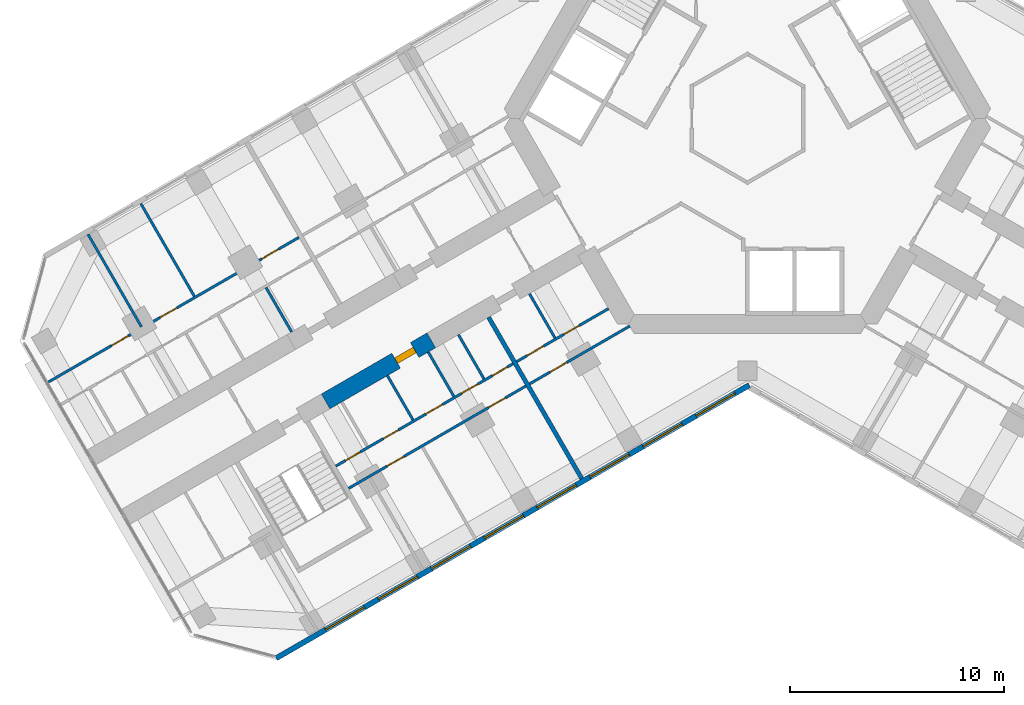
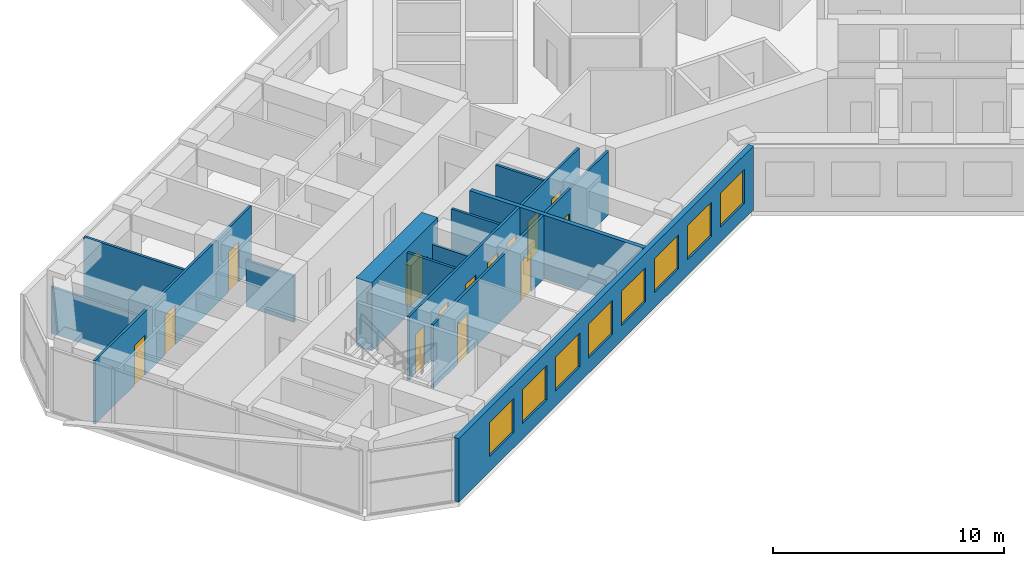
# One storey, part 11 of 20: 15 walls, 14 doors, 8 windows, 22 openings.
"""IFC4 building model written with IfcOpenShell, lengths in metres."""

from ifc_helpers import new_model, si_unit, direction, frame, frame_2d, origin, place, context, subcontext, project, spatial, rectangle, extrude, material, layer, layer_set, type_object, element, fill, save


model = new_model("IFC4")

# Units and contexts
model_context = context("Model", 3, precision=1e-05, world=origin(), true_north=direction((0.0, 1.0)))
body_context = subcontext(model_context, "Body", "Model", "MODEL_VIEW")
ifc_project = project(units=[si_unit("LENGTHUNIT", "METRE"), si_unit("AREAUNIT", "SQUARE_METRE"), si_unit("VOLUMEUNIT", "CUBIC_METRE"), si_unit("PLANEANGLEUNIT", "RADIAN"), si_unit("MASSUNIT", "GRAM", prefix="KILO")], contexts=[model_context])

# Site, building, storey
site_placement = place(None, origin())
site = spatial("IfcSite", under=ifc_project, at=site_placement, CompositionType="ELEMENT")
building_placement = place(site_placement, origin())
building = spatial("IfcBuilding", under=site, at=building_placement, Name="Kosmar Iwan School Tower", CompositionType="ELEMENT")
storey_placement = place(building_placement, frame((0.0, 0.0, 176.0)))
storey = spatial("IfcBuildingStorey", under=building, at=storey_placement, Name="L44", CompositionType="ELEMENT", Elevation=176.0)

# Wall, opening, door
ifc_material_1 = material(Name="Concrete C50/60", Category="concrete")
ifc_layer_1 = layer(ifc_material_1, 0.800048828125)
ifc_layer_set_1 = layer_set([ifc_layer_1], Name="Corridor buttress wall 800")
wall_type_1 = type_object("IfcWallType", Name="Corridor buttress wall 800", PredefinedType="SHEAR", material=ifc_layer_set_1)
wall_1_placement = place(storey_placement, frame((-14.7451171875, -10.360595703125, 0.0), z_axis=(0.0, 0.0, 1.0), x_axis=(-0.866015111908, -0.50001782563, 0.0)))
wall_1 = element("IfcWall", 1, at=wall_1_placement, inside=storey, type_object=wall_type_1, Name="Corridor wall BL bay 2", PredefinedType="SHEAR", context=body_context, shape_type="SweptSolid", body=[
    extrude(rectangle(XDim=5.699951171875, YDim=0.800048828125, at=frame_2d((2.85009765625, 0.0))), origin(), (0.0, 0.0, 1.0), 3.60009765625),
])
opening_1_placement = place(wall_1_placement, frame((0.89990234375, 0.0, 0.0)))
opening_1 = element("IfcOpeningElement", 2, at=opening_1_placement, cuts=wall_1, Name="Opening D1", PredefinedType="OPENING", context=body_context, shape_type="SweptSolid", body=[
    extrude(rectangle(XDim=1.0, YDim=2.10009765625, at=frame_2d((0.5, 1.050048828125))), frame((0.0, 0.412109375, 0.0), z_axis=(0.0, -1.0, 0.0), x_axis=(1.0, 0.0, 0.0)), (0.0, 0.0, 1.0), 0.823974609375),
])
ifc_material_2 = material(Name="Timber fire door in steel frame", Category="steel")
door_type_1 = type_object("IfcDoorType", Name="Flat entrance door 1000x2100", OperationType="SINGLE_SWING_LEFT", PredefinedType="DOOR", material=ifc_material_2)
door_1_placement = place(opening_1_placement, origin())
door_1 = element("IfcDoor", 3, at=door_1_placement, inside=storey, type_object=door_type_1, Name="Flat L44-BL2 entrance door", OperationType="SINGLE_SWING_LEFT", OverallHeight=2.10009765625, OverallWidth=1.0, PredefinedType="DOOR", context=body_context, shape_type="SweptSolid", body=[
    extrude(rectangle(XDim=1.0, YDim=2.10009765625, at=frame_2d((0.5, 1.050048828125))), frame((0.0, 0.14990234375, 0.0), z_axis=(0.0, -1.0, 0.0), x_axis=(1.0, 0.0, 0.0)), (0.0, 0.0, 1.0), 0.300048828125),
])
fill(opening_1, door_1)

# Wall, openings, doors
ifc_material_3 = material(Name="Gypsum board on steel studs", Category="steel")
ifc_layer_2 = layer(ifc_material_3, 0.1201171875)
ifc_layer_set_2 = layer_set([ifc_layer_2], Name="Dwelling partition 120")
wall_type_2 = type_object("IfcWallType", Name="Dwelling partition 120", PredefinedType="PARTITIONING", material=ifc_layer_set_2)
wall_2_placement = place(storey_placement, frame((-6.478515625, -8.87890625, 0.0), z_axis=(0.0, 0.0, 1.0), x_axis=(-0.866040211805, -0.499974350878, 0.0)))
wall_2 = element("IfcWall", 4, at=wall_2_placement, inside=storey, type_object=wall_type_2, Name="Partition L44-BL1-W1", PredefinedType="PARTITIONING", context=body_context, shape_type="SweptSolid", body=[
    extrude(rectangle(XDim=4.949951171875, YDim=0.1201171875, at=frame_2d((2.47509765625, 0.0))), origin(), (0.0, 0.0, 1.0), 3.35009765625),
])
opening_2_placement = place(wall_2_placement, frame((1.60009765625, 0.0, 0.0)))
opening_2 = element("IfcOpeningElement", 5, at=opening_2_placement, cuts=wall_2, Name="Opening D3", PredefinedType="OPENING", context=body_context, shape_type="SweptSolid", body=[
    extrude(rectangle(XDim=0.800048828125, YDim=2.10009765625, at=frame_2d((0.39990234375, 1.050048828125))), frame((0.0, 0.072021484375, 0.0), z_axis=(0.0, -1.0, 0.0), x_axis=(1.0, 0.0, 0.0)), (0.0, 0.0, 1.0), 0.14404296875),
])
opening_3_placement = place(wall_2_placement, frame((3.5, 0.0, 0.0)))
opening_3 = element("IfcOpeningElement", 6, at=opening_3_placement, cuts=wall_2, Name="Opening D2", PredefinedType="OPENING", context=body_context, shape_type="SweptSolid", body=[
    extrude(rectangle(XDim=0.89990234375, YDim=2.10009765625, at=frame_2d((0.449951171875, 1.050048828125))), frame((0.0, 0.072021484375, 0.0), z_axis=(0.0, -1.0, 0.0), x_axis=(1.0, 0.0, 0.0)), (0.0, 0.0, 1.0), 0.14404296875),
])
ifc_material_4 = material(Name="Timber door in timber frame", Category="wood")
door_type_2 = type_object("IfcDoorType", Name="Internal door 900x2100", OperationType="SINGLE_SWING_LEFT", PredefinedType="DOOR", material=ifc_material_4)
door_2_placement = place(opening_3_placement, origin())
door_2 = element("IfcDoor", 7, at=door_2_placement, inside=storey, type_object=door_type_2, Name="Entrance hall door L44-BL1-S2", OperationType="SINGLE_SWING_RIGHT", OverallHeight=2.10009765625, OverallWidth=0.89990234375, PredefinedType="DOOR", context=body_context, shape_type="SweptSolid", body=[
    extrude(rectangle(XDim=0.89990234375, YDim=2.10009765625, at=frame_2d((0.449951171875, 1.050048828125))), frame((0.0, 0.02490234375, 0.0), z_axis=(0.0, -1.0, 0.0), x_axis=(1.0, 0.0, 0.0)), (0.0, 0.0, 1.0), 0.050048828125),
])
fill(opening_3, door_2)
ifc_material_5 = material(Name="Timber door in timber frame", Category="wood")
door_type_3 = type_object("IfcDoorType", Name="Sanitary room door 800x2100", OperationType="SINGLE_SWING_LEFT", PredefinedType="DOOR", material=ifc_material_5)
door_3_placement = place(opening_2_placement, origin())
door_3 = element("IfcDoor", 8, at=door_3_placement, inside=storey, type_object=door_type_3, Name="Bathroom door L44-BL1-S1", OperationType="SINGLE_SWING_LEFT", OverallHeight=2.10009765625, OverallWidth=0.800048828125, PredefinedType="DOOR", context=body_context, shape_type="SweptSolid", body=[
    extrude(rectangle(XDim=0.800048828125, YDim=2.10009765625, at=frame_2d((0.39990234375, 1.050048828125))), frame((0.0, 0.02490234375, 0.0), z_axis=(0.0, -1.0, 0.0), x_axis=(1.0, 0.0, 0.0)), (0.0, 0.0, 1.0), 0.050048828125),
])
fill(opening_2, door_3)

# Wall, opening, door
wall_3_placement = place(storey_placement, frame((-5.48876953125, -9.693115234375, 0.0), z_axis=(0.0, 0.0, 1.0), x_axis=(-0.866028230842, -0.499995103361, 0.0)))
wall_3 = element("IfcWall", 9, at=wall_3_placement, inside=storey, type_object=wall_type_2, Name="Partition L44-BL1-W2", PredefinedType="PARTITIONING", context=body_context, shape_type="SweptSolid", body=[
    extrude(rectangle(XDim=5.39990234375, YDim=0.1201171875, at=frame_2d((2.699951171875, 0.0))), origin(), (0.0, 0.0, 1.0), 3.35009765625),
])
opening_4_placement = place(wall_3_placement, frame((3.39990234375, 0.0, 0.0)))
opening_4 = element("IfcOpeningElement", 10, at=opening_4_placement, cuts=wall_3, Name="Opening D2", PredefinedType="OPENING", context=body_context, shape_type="SweptSolid", body=[
    extrude(rectangle(XDim=0.89990234375, YDim=2.10009765625, at=frame_2d((0.449951171875, 1.050048828125))), frame((0.0, 0.072021484375, 0.0), z_axis=(0.0, -1.0, 0.0), x_axis=(1.0, 0.0, 0.0)), (0.0, 0.0, 1.0), 0.14404296875),
])
door_4_placement = place(opening_4_placement, origin())
door_4 = element("IfcDoor", 11, at=door_4_placement, inside=storey, type_object=door_type_2, Name="Studio living room and kitchen door L44-BL1-F1", OperationType="SINGLE_SWING_RIGHT", OverallHeight=2.10009765625, OverallWidth=0.89990234375, PredefinedType="DOOR", context=body_context, shape_type="SweptSolid", body=[
    extrude(rectangle(XDim=0.89990234375, YDim=2.10009765625, at=frame_2d((0.449951171875, 1.050048828125))), frame((0.0, 0.02490234375, 0.0), z_axis=(0.0, -1.0, 0.0), x_axis=(1.0, 0.0, 0.0)), (0.0, 0.0, 1.0), 0.050048828125),
])
fill(opening_4, door_4)

# Wall
wall_4_placement = place(storey_placement, frame((-10.171630859375, -8.18212890625, 0.0), z_axis=(0.0, 0.0, 1.0), x_axis=(0.499940577336, -0.866059708757, 0.0)))
element("IfcWall", 12, at=wall_4_placement, inside=storey, type_object=wall_type_2, Name="Partition L44-BL1-Y1", PredefinedType="PARTITIONING", context=body_context, shape_type="SweptSolid", body=[
    extrude(rectangle(XDim=2.389892578125, YDim=0.1201171875, at=frame_2d((1.19482421875, 0.0))), origin(), (0.0, 0.0, 1.0), 3.35009765625),
])

# Wall, openings, doors
wall_5_placement = place(storey_placement, frame((-10.9384765625, -11.453857421875, 0.0), z_axis=(0.0, 0.0, 1.0), x_axis=(-0.866035311659, -0.499982838664, 0.0)))
wall_5 = element("IfcWall", 13, at=wall_5_placement, inside=storey, type_object=wall_type_2, Name="Partition L44-BL2-W1", PredefinedType="PARTITIONING", context=body_context, shape_type="SweptSolid", body=[
    extrude(rectangle(XDim=9.550048828125, YDim=0.1201171875, at=frame_2d((4.77490234375, 0.0))), origin(), (0.0, 0.0, 1.0), 3.35009765625),
])
opening_5_placement = place(wall_5_placement, frame((0.3125, 0.0, 0.0)))
opening_5 = element("IfcOpeningElement", 14, at=opening_5_placement, cuts=wall_5, Name="Opening D3", PredefinedType="OPENING", context=body_context, shape_type="SweptSolid", body=[
    extrude(rectangle(XDim=0.800048828125, YDim=2.10009765625, at=frame_2d((0.39990234375, 1.050048828125))), frame((0.0, 0.072021484375, 0.0), z_axis=(0.0, -1.0, 0.0), x_axis=(1.0, 0.0, 0.0)), (0.0, 0.0, 1.0), 0.14404296875),
])
opening_6_placement = place(wall_5_placement, frame((1.887451171875, 0.0, 0.0)))
opening_6 = element("IfcOpeningElement", 15, at=opening_6_placement, cuts=wall_5, Name="Opening D2", PredefinedType="OPENING", context=body_context, shape_type="SweptSolid", body=[
    extrude(rectangle(XDim=0.89990234375, YDim=2.10009765625, at=frame_2d((0.449951171875, 1.050048828125))), frame((0.0, 0.072021484375, 0.0), z_axis=(0.0, -1.0, 0.0), x_axis=(1.0, 0.0, 0.0)), (0.0, 0.0, 1.0), 0.14404296875),
])
opening_7_placement = place(wall_5_placement, frame((3.800048828125, 0.0, 0.0)))
opening_7 = element("IfcOpeningElement", 16, at=opening_7_placement, cuts=wall_5, Name="Opening D2", PredefinedType="OPENING", context=body_context, shape_type="SweptSolid", body=[
    extrude(rectangle(XDim=0.89990234375, YDim=2.10009765625, at=frame_2d((0.449951171875, 1.050048828125))), frame((0.0, 0.072021484375, 0.0), z_axis=(0.0, -1.0, 0.0), x_axis=(1.0, 0.0, 0.0)), (0.0, 0.0, 1.0), 0.14404296875),
])
opening_8_placement = place(wall_5_placement, frame((6.179931640625, 0.0, 0.0)))
opening_8 = element("IfcOpeningElement", 17, at=opening_8_placement, cuts=wall_5, Name="Opening D3", PredefinedType="OPENING", context=body_context, shape_type="SweptSolid", body=[
    extrude(rectangle(XDim=0.800048828125, YDim=2.10009765625, at=frame_2d((0.39990234375, 1.050048828125))), frame((0.0, 0.072021484375, 0.0), z_axis=(0.0, -1.0, 0.0), x_axis=(1.0, 0.0, 0.0)), (0.0, 0.0, 1.0), 0.14404296875),
])
opening_9_placement = place(wall_5_placement, frame((8.22998046875, 0.0, 0.0)))
opening_9 = element("IfcOpeningElement", 18, at=opening_9_placement, cuts=wall_5, Name="Opening D3", PredefinedType="OPENING", context=body_context, shape_type="SweptSolid", body=[
    extrude(rectangle(XDim=0.800048828125, YDim=2.10009765625, at=frame_2d((0.39990234375, 1.050048828125))), frame((0.0, 0.072021484375, 0.0), z_axis=(0.0, -1.0, 0.0), x_axis=(1.0, 0.0, 0.0)), (0.0, 0.0, 1.0), 0.14404296875),
])
door_5_placement = place(opening_6_placement, frame((0.89990234375, 0.0, 0.0), z_axis=(0.0, 0.0, 1.0), x_axis=(-1.0, 0.0, 0.0)))
door_5 = element("IfcDoor", 19, at=door_5_placement, inside=storey, type_object=door_type_2, Name="Pantry door L44-BL2-S2", OperationType="SINGLE_SWING_RIGHT", OverallHeight=2.10009765625, OverallWidth=0.89990234375, PredefinedType="DOOR", context=body_context, shape_type="SweptSolid", body=[
    extrude(rectangle(XDim=0.89990234375, YDim=2.10009765625, at=frame_2d((0.449951171875, 1.050048828125))), frame((0.0, 0.02490234375, 0.0), z_axis=(0.0, -1.0, 0.0), x_axis=(1.0, 0.0, 0.0)), (0.0, 0.0, 1.0), 0.050048828125),
])
fill(opening_6, door_5)
door_6_placement = place(opening_7_placement, origin())
door_6 = element("IfcDoor", 20, at=door_6_placement, inside=storey, type_object=door_type_2, Name="Entrance hall door L44-BL2-S3", OperationType="SINGLE_SWING_LEFT", OverallHeight=2.10009765625, OverallWidth=0.89990234375, PredefinedType="DOOR", context=body_context, shape_type="SweptSolid", body=[
    extrude(rectangle(XDim=0.89990234375, YDim=2.10009765625, at=frame_2d((0.449951171875, 1.050048828125))), frame((0.0, 0.02490234375, 0.0), z_axis=(0.0, -1.0, 0.0), x_axis=(1.0, 0.0, 0.0)), (0.0, 0.0, 1.0), 0.050048828125),
])
fill(opening_7, door_6)
door_7_placement = place(opening_5_placement, origin())
door_7 = element("IfcDoor", 21, at=door_7_placement, inside=storey, type_object=door_type_3, Name="Store door L44-BL2-S1", OperationType="SINGLE_SWING_LEFT", OverallHeight=2.10009765625, OverallWidth=0.800048828125, PredefinedType="DOOR", context=body_context, shape_type="SweptSolid", body=[
    extrude(rectangle(XDim=0.800048828125, YDim=2.10009765625, at=frame_2d((0.39990234375, 1.050048828125))), frame((0.0, 0.02490234375, 0.0), z_axis=(0.0, -1.0, 0.0), x_axis=(1.0, 0.0, 0.0)), (0.0, 0.0, 1.0), 0.050048828125),
])
fill(opening_5, door_7)
door_8_placement = place(opening_8_placement, origin())
door_8 = element("IfcDoor", 22, at=door_8_placement, inside=storey, type_object=door_type_3, Name="Bathroom door L44-BL2-S4", OperationType="SINGLE_SWING_RIGHT", OverallHeight=2.10009765625, OverallWidth=0.800048828125, PredefinedType="DOOR", context=body_context, shape_type="SweptSolid", body=[
    extrude(rectangle(XDim=0.800048828125, YDim=2.10009765625, at=frame_2d((0.39990234375, 1.050048828125))), frame((0.0, 0.02490234375, 0.0), z_axis=(0.0, -1.0, 0.0), x_axis=(1.0, 0.0, 0.0)), (0.0, 0.0, 1.0), 0.050048828125),
])
fill(opening_8, door_8)
door_9_placement = place(opening_9_placement, origin())
door_9 = element("IfcDoor", 23, at=door_9_placement, inside=storey, type_object=door_type_3, Name="WC door L44-BL2-S5", OperationType="SINGLE_SWING_RIGHT", OverallHeight=2.10009765625, OverallWidth=0.800048828125, PredefinedType="DOOR", context=body_context, shape_type="SweptSolid", body=[
    extrude(rectangle(XDim=0.800048828125, YDim=2.10009765625, at=frame_2d((0.39990234375, 1.050048828125))), frame((0.0, 0.02490234375, 0.0), z_axis=(0.0, -1.0, 0.0), x_axis=(1.0, 0.0, 0.0)), (0.0, 0.0, 1.0), 0.050048828125),
])
fill(opening_9, door_9)

wall_6_placement = place(storey_placement, frame((-10.338623046875, -12.492919921875, 0.0), z_axis=(0.0, 0.0, 1.0), x_axis=(-0.866017851049, -0.500013081493, 0.0)))
wall_6 = element("IfcWall", 24, at=wall_6_placement, inside=storey, type_object=wall_type_2, Name="Partition L44-BL2-W2", PredefinedType="PARTITIONING", context=body_context, shape_type="SweptSolid", body=[
    extrude(rectangle(XDim=9.550048828125, YDim=0.1201171875, at=frame_2d((4.77490234375, 0.0))), origin(), (0.0, 0.0, 1.0), 3.35009765625),
])
opening_10_placement = place(wall_6_placement, frame((1.10009765625, 0.0, 0.0)))
opening_10 = element("IfcOpeningElement", 25, at=opening_10_placement, cuts=wall_6, Name="Opening D2", PredefinedType="OPENING", context=body_context, shape_type="SweptSolid", body=[
    extrude(rectangle(XDim=0.89990234375, YDim=2.10009765625, at=frame_2d((0.449951171875, 1.050048828125))), frame((0.0, 0.072021484375, 0.0), z_axis=(0.0, -1.0, 0.0), x_axis=(1.0, 0.0, 0.0)), (0.0, 0.0, 1.0), 0.14404296875),
])
opening_11_placement = place(wall_6_placement, frame((6.574951171875, 0.0, 0.0)))
opening_11 = element("IfcOpeningElement", 26, at=opening_11_placement, cuts=wall_6, Name="Opening D2", PredefinedType="OPENING", context=body_context, shape_type="SweptSolid", body=[
    extrude(rectangle(XDim=0.89990234375, YDim=2.10009765625, at=frame_2d((0.449951171875, 1.050048828125))), frame((0.0, 0.072021484375, 0.0), z_axis=(0.0, -1.0, 0.0), x_axis=(1.0, 0.0, 0.0)), (0.0, 0.0, 1.0), 0.14404296875),
])
door_10_placement = place(opening_10_placement, origin())
door_10 = element("IfcDoor", 27, at=door_10_placement, inside=storey, type_object=door_type_2, Name="Family room and kitchen door L44-BL2-F1", OperationType="SINGLE_SWING_LEFT", OverallHeight=2.10009765625, OverallWidth=0.89990234375, PredefinedType="DOOR", context=body_context, shape_type="SweptSolid", body=[
    extrude(rectangle(XDim=0.89990234375, YDim=2.10009765625, at=frame_2d((0.449951171875, 1.050048828125))), frame((0.0, 0.02490234375, 0.0), z_axis=(0.0, -1.0, 0.0), x_axis=(1.0, 0.0, 0.0)), (0.0, 0.0, 1.0), 0.050048828125),
])
fill(opening_10, door_10)
door_11_placement = place(opening_11_placement, origin())
door_11 = element("IfcDoor", 28, at=door_11_placement, inside=storey, type_object=door_type_2, Name="Bedroom 1 door L44-BL2-F2", OperationType="SINGLE_SWING_LEFT", OverallHeight=2.10009765625, OverallWidth=0.89990234375, PredefinedType="DOOR", context=body_context, shape_type="SweptSolid", body=[
    extrude(rectangle(XDim=0.89990234375, YDim=2.10009765625, at=frame_2d((0.449951171875, 1.050048828125))), frame((0.0, 0.02490234375, 0.0), z_axis=(0.0, -1.0, 0.0), x_axis=(1.0, 0.0, 0.0)), (0.0, 0.0, 1.0), 0.050048828125),
])
fill(opening_11, door_11)

# Walls
wall_7_placement = place(storey_placement, frame((-13.484375, -10.094482421875, 0.0), z_axis=(0.0, 0.0, 1.0), x_axis=(0.500017192868, -0.86601547725, 0.0)))
element("IfcWall", 29, at=wall_7_placement, inside=storey, type_object=wall_type_2, Name="Partition L44-BL2-Y1", PredefinedType="PARTITIONING", context=body_context, shape_type="SweptSolid", body=[
    extrude(rectangle(XDim=2.39013671875, YDim=0.1201171875, at=frame_2d((1.195068359375, 0.0))), origin(), (0.0, 0.0, 1.0), 3.35009765625),
])
wall_8_placement = place(storey_placement, frame((-14.8916015625, -10.906982421875, 0.0), z_axis=(0.0, 0.0, 1.0), x_axis=(0.500017192868, -0.86601547725, 0.0)))
element("IfcWall", 30, at=wall_8_placement, inside=storey, type_object=wall_type_2, Name="Partition L44-BL2-Y2", PredefinedType="PARTITIONING", context=body_context, shape_type="SweptSolid", body=[
    extrude(rectangle(XDim=2.39013671875, YDim=0.1201171875, at=frame_2d((1.195068359375, 0.0))), origin(), (0.0, 0.0, 1.0), 2.449951171875),
])
wall_9_placement = place(storey_placement, frame((-16.796875, -12.007080078125, 0.0), z_axis=(0.0, 0.0, 1.0), x_axis=(0.500017192868, -0.86601547725, 0.0)))
element("IfcWall", 31, at=wall_9_placement, inside=storey, type_object=wall_type_2, Name="Partition L44-BL2-Y3", PredefinedType="PARTITIONING", context=body_context, shape_type="SweptSolid", body=[
    extrude(rectangle(XDim=2.39013671875, YDim=0.1201171875, at=frame_2d((1.195068359375, 0.0))), origin(), (0.0, 0.0, 1.0), 3.35009765625),
])

# Wall, openings, doors
wall_10_placement = place(storey_placement, frame((-20.9248046875, -5.556884765625, 0.0), z_axis=(0.0, 0.0, 1.0), x_axis=(-0.866028025956, -0.499995458239, 0.0)))
wall_10 = element("IfcWall", 32, at=wall_10_placement, inside=storey, type_object=wall_type_2, Name="Partition L44-BR2-W2", PredefinedType="PARTITIONING", context=body_context, shape_type="SweptSolid", body=[
    extrude(rectangle(XDim=13.495361328125, YDim=0.1201171875, at=frame_2d((6.74755859375, 0.0))), origin(), (0.0, 0.0, 1.0), 3.35009765625),
])
opening_12_placement = place(wall_10_placement, frame((1.10009765625, 0.0, 0.0)))
opening_12 = element("IfcOpeningElement", 33, at=opening_12_placement, cuts=wall_10, Name="Opening D2", PredefinedType="OPENING", context=body_context, shape_type="SweptSolid", body=[
    extrude(rectangle(XDim=0.89990234375, YDim=2.10009765625, at=frame_2d((0.449951171875, 1.050048828125))), frame((0.0, 0.072021484375, 0.0), z_axis=(0.0, -1.0, 0.0), x_axis=(1.0, 0.0, 0.0)), (0.0, 0.0, 1.0), 0.14404296875),
])
opening_13_placement = place(wall_10_placement, frame((6.574951171875, 0.0, 0.0)))
opening_13 = element("IfcOpeningElement", 34, at=opening_13_placement, cuts=wall_10, Name="Opening D2", PredefinedType="OPENING", context=body_context, shape_type="SweptSolid", body=[
    extrude(rectangle(XDim=0.89990234375, YDim=2.10009765625, at=frame_2d((0.449951171875, 1.050048828125))), frame((0.0, 0.072021484375, 0.0), z_axis=(0.0, -1.0, 0.0), x_axis=(1.0, 0.0, 0.0)), (0.0, 0.0, 1.0), 0.14404296875),
])
opening_14_placement = place(wall_10_placement, frame((9.199951171875, 0.0, 0.0)))
opening_14 = element("IfcOpeningElement", 35, at=opening_14_placement, cuts=wall_10, Name="Opening D2", PredefinedType="OPENING", context=body_context, shape_type="SweptSolid", body=[
    extrude(rectangle(XDim=0.89990234375, YDim=2.10009765625, at=frame_2d((0.449951171875, 1.050048828125))), frame((0.0, 0.072021484375, 0.0), z_axis=(0.0, -1.0, 0.0), x_axis=(1.0, 0.0, 0.0)), (0.0, 0.0, 1.0), 0.14404296875),
])
door_12_placement = place(opening_12_placement, origin())
door_12 = element("IfcDoor", 36, at=door_12_placement, inside=storey, type_object=door_type_2, Name="Living room door L44-BR2-F1", OperationType="SINGLE_SWING_LEFT", OverallHeight=2.10009765625, OverallWidth=0.89990234375, PredefinedType="DOOR", context=body_context, shape_type="SweptSolid", body=[
    extrude(rectangle(XDim=0.89990234375, YDim=2.10009765625, at=frame_2d((0.449951171875, 1.050048828125))), frame((0.0, 0.02490234375, 0.0), z_axis=(0.0, -1.0, 0.0), x_axis=(1.0, 0.0, 0.0)), (0.0, 0.0, 1.0), 0.050048828125),
])
fill(opening_12, door_12)
door_13_placement = place(opening_13_placement, origin())
door_13 = element("IfcDoor", 37, at=door_13_placement, inside=storey, type_object=door_type_2, Name="Kitchen and dining room door L44-BR2-F2", OperationType="SINGLE_SWING_RIGHT", OverallHeight=2.10009765625, OverallWidth=0.89990234375, PredefinedType="DOOR", context=body_context, shape_type="SweptSolid", body=[
    extrude(rectangle(XDim=0.89990234375, YDim=2.10009765625, at=frame_2d((0.449951171875, 1.050048828125))), frame((0.0, 0.02490234375, 0.0), z_axis=(0.0, -1.0, 0.0), x_axis=(1.0, 0.0, 0.0)), (0.0, 0.0, 1.0), 0.050048828125),
])
fill(opening_13, door_13)
door_14_placement = place(opening_14_placement, origin())
door_14 = element("IfcDoor", 38, at=door_14_placement, inside=storey, type_object=door_type_2, Name="Bedroom 1 door L44-BR2-F3", OperationType="SINGLE_SWING_RIGHT", OverallHeight=2.10009765625, OverallWidth=0.89990234375, PredefinedType="DOOR", context=body_context, shape_type="SweptSolid", body=[
    extrude(rectangle(XDim=0.89990234375, YDim=2.10009765625, at=frame_2d((0.449951171875, 1.050048828125))), frame((0.0, 0.02490234375, 0.0), z_axis=(0.0, -1.0, 0.0), x_axis=(1.0, 0.0, 0.0)), (0.0, 0.0, 1.0), 0.050048828125),
])
fill(opening_14, door_14)

# Walls
wall_11_placement = place(storey_placement, frame((-25.8046875, -8.304931640625, 0.0), z_axis=(0.0, 0.0, 1.0), x_axis=(-0.499975153383, 0.86603974851, 0.0)))
element("IfcWall", 39, at=wall_11_placement, inside=storey, type_object=wall_type_2, Name="Partition L44-BR2-X1", PredefinedType="PARTITIONING", context=body_context, shape_type="SweptSolid", body=[
    extrude(rectangle(XDim=4.989990234375, YDim=0.1201171875, at=frame_2d((2.4951171875, 0.0))), origin(), (0.0, 0.0, 1.0), 3.35009765625),
])
wall_12_placement = place(storey_placement, frame((-28.27294921875, -9.72998046875, 0.0), z_axis=(0.0, 0.0, 1.0), x_axis=(-0.499975153383, 0.86603974851, 0.0)))
element("IfcWall", 40, at=wall_12_placement, inside=storey, type_object=wall_type_2, Name="Partition L44-BR2-X2", PredefinedType="PARTITIONING", context=body_context, shape_type="SweptSolid", body=[
    extrude(rectangle(XDim=4.989990234375, YDim=0.1201171875, at=frame_2d((2.4951171875, 0.0))), origin(), (0.0, 0.0, 1.0), 2.449951171875),
])
wall_13_placement = place(storey_placement, frame((-21.264892578125, -9.968017578125, 0.0), z_axis=(0.0, 0.0, 1.0), x_axis=(-0.500017192868, 0.86601547725, 0.0)))
element("IfcWall", 41, at=wall_13_placement, inside=storey, type_object=wall_type_2, Name="Partition L44-BR2-Y1", PredefinedType="PARTITIONING", context=body_context, shape_type="SweptSolid", body=[
    extrude(rectangle(XDim=2.39013671875, YDim=0.1201171875, at=frame_2d((1.195068359375, 0.0))), origin(), (0.0, 0.0, 1.0), 2.449951171875),
])

# Wall, openings, windows
ifc_material_6 = material(Name="Black aluminium rainscreen on insulated framing", Category="aluminium")
ifc_layer_3 = layer(ifc_material_6, 0.25)
ifc_layer_set_3 = layer_set([ifc_layer_3], Name="External wall rainscreen 250")
wall_type_3 = type_object("IfcWallType", Name="External wall rainscreen 250", PredefinedType="SOLIDWALL", material=ifc_layer_set_3)
wall_14_placement = place(storey_placement, frame((0.088134765625, -12.44873046875, 0.0), z_axis=(0.0, 0.0, 1.0), x_axis=(-0.866026390279, -0.499998291337, 0.0)))
wall_14 = element("IfcWall", 42, at=wall_14_placement, inside=storey, type_object=wall_type_3, Name="External wall BL L44", PredefinedType="SOLIDWALL", context=body_context, shape_type="SweptSolid", body=[
    extrude(rectangle(XDim=25.4873046875, YDim=0.25, at=frame_2d((12.74365234375, 0.0))), origin(), (0.0, 0.0, 1.0), 3.35009765625),
])
opening_15_placement = place(wall_14_placement, frame((0.777099609375, 0.0, 0.800048828125)))
opening_15 = element("IfcOpeningElement", 43, at=opening_15_placement, cuts=wall_14, Name="Opening W4", PredefinedType="OPENING", context=body_context, shape_type="SweptSolid", body=[
    extrude(rectangle(XDim=2.10009765625, YDim=1.800048828125, at=frame_2d((1.050048828125, 0.89990234375))), frame((0.0, 0.136962890625, 0.0), z_axis=(0.0, -1.0, 0.0), x_axis=(1.0, 0.0, 0.0)), (0.0, 0.0, 1.0), 0.27392578125),
])
opening_16_placement = place(wall_14_placement, frame((3.626953125, 0.0, 0.800048828125)))
opening_16 = element("IfcOpeningElement", 44, at=opening_16_placement, cuts=wall_14, Name="Opening W4", PredefinedType="OPENING", context=body_context, shape_type="SweptSolid", body=[
    extrude(rectangle(XDim=2.10009765625, YDim=1.800048828125, at=frame_2d((1.050048828125, 0.89990234375))), frame((0.0, 0.136962890625, 0.0), z_axis=(0.0, -1.0, 0.0), x_axis=(1.0, 0.0, 0.0)), (0.0, 0.0, 1.0), 0.27392578125),
])
opening_17_placement = place(wall_14_placement, frame((6.47705078125, 0.0, 0.800048828125)))
opening_17 = element("IfcOpeningElement", 45, at=opening_17_placement, cuts=wall_14, Name="Opening W4", PredefinedType="OPENING", context=body_context, shape_type="SweptSolid", body=[
    extrude(rectangle(XDim=2.10009765625, YDim=1.800048828125, at=frame_2d((1.050048828125, 0.89990234375))), frame((0.0, 0.136962890625, 0.0), z_axis=(0.0, -1.0, 0.0), x_axis=(1.0, 0.0, 0.0)), (0.0, 0.0, 1.0), 0.27392578125),
])
opening_18_placement = place(wall_14_placement, frame((9.326904296875, 0.0, 0.800048828125)))
opening_18 = element("IfcOpeningElement", 46, at=opening_18_placement, cuts=wall_14, Name="Opening W4", PredefinedType="OPENING", context=body_context, shape_type="SweptSolid", body=[
    extrude(rectangle(XDim=2.10009765625, YDim=1.800048828125, at=frame_2d((1.050048828125, 0.89990234375))), frame((0.0, 0.136962890625, 0.0), z_axis=(0.0, -1.0, 0.0), x_axis=(1.0, 0.0, 0.0)), (0.0, 0.0, 1.0), 0.27392578125),
])
opening_19_placement = place(wall_14_placement, frame((12.177001953125, 0.0, 0.800048828125)))
opening_19 = element("IfcOpeningElement", 47, at=opening_19_placement, cuts=wall_14, Name="Opening W4", PredefinedType="OPENING", context=body_context, shape_type="SweptSolid", body=[
    extrude(rectangle(XDim=2.10009765625, YDim=1.800048828125, at=frame_2d((1.050048828125, 0.89990234375))), frame((0.0, 0.136962890625, 0.0), z_axis=(0.0, -1.0, 0.0), x_axis=(1.0, 0.0, 0.0)), (0.0, 0.0, 1.0), 0.27392578125),
])
opening_20_placement = place(wall_14_placement, frame((15.027099609375, 0.0, 0.800048828125)))
opening_20 = element("IfcOpeningElement", 48, at=opening_20_placement, cuts=wall_14, Name="Opening W4", PredefinedType="OPENING", context=body_context, shape_type="SweptSolid", body=[
    extrude(rectangle(XDim=2.10009765625, YDim=1.800048828125, at=frame_2d((1.050048828125, 0.89990234375))), frame((0.0, 0.136962890625, 0.0), z_axis=(0.0, -1.0, 0.0), x_axis=(1.0, 0.0, 0.0)), (0.0, 0.0, 1.0), 0.27392578125),
])
opening_21_placement = place(wall_14_placement, frame((17.876953125, 0.0, 0.800048828125)))
opening_21 = element("IfcOpeningElement", 49, at=opening_21_placement, cuts=wall_14, Name="Opening W4", PredefinedType="OPENING", context=body_context, shape_type="SweptSolid", body=[
    extrude(rectangle(XDim=2.10009765625, YDim=1.800048828125, at=frame_2d((1.050048828125, 0.89990234375))), frame((0.0, 0.136962890625, 0.0), z_axis=(0.0, -1.0, 0.0), x_axis=(1.0, 0.0, 0.0)), (0.0, 0.0, 1.0), 0.27392578125),
])
opening_22_placement = place(wall_14_placement, frame((20.72705078125, 0.0, 0.800048828125)))
opening_22 = element("IfcOpeningElement", 50, at=opening_22_placement, cuts=wall_14, Name="Opening W4", PredefinedType="OPENING", context=body_context, shape_type="SweptSolid", body=[
    extrude(rectangle(XDim=2.10009765625, YDim=1.800048828125, at=frame_2d((1.050048828125, 0.89990234375))), frame((0.0, 0.136962890625, 0.0), z_axis=(0.0, -1.0, 0.0), x_axis=(1.0, 0.0, 0.0)), (0.0, 0.0, 1.0), 0.27392578125),
])
ifc_material_7 = material(Name="Black aluminium frame with dark triple glazing", Category="aluminium")
window_type = type_object("IfcWindowType", Name="Window 2100x1800", PartitioningType="SINGLE_PANEL", PredefinedType="WINDOW", material=ifc_material_7)
window_1_placement = place(opening_15_placement, origin())
window_1 = element("IfcWindow", 51, at=window_1_placement, inside=storey, type_object=window_type, Name="Window BL L44 -1", OverallHeight=1.800048828125, OverallWidth=2.10009765625, PartitioningType="SINGLE_PANEL", PredefinedType="WINDOW", context=body_context, shape_type="SweptSolid", body=[
    extrude(rectangle(XDim=2.10009765625, YDim=1.800048828125, at=frame_2d((1.050048828125, 0.89990234375))), frame((0.0, 0.030029296875, 0.0), z_axis=(0.0, -1.0, 0.0), x_axis=(1.0, 0.0, 0.0)), (0.0, 0.0, 1.0), 0.06005859375),
])
fill(opening_15, window_1)
window_2_placement = place(opening_16_placement, origin())
window_2 = element("IfcWindow", 52, at=window_2_placement, inside=storey, type_object=window_type, Name="Window BL L44 0", OverallHeight=1.800048828125, OverallWidth=2.10009765625, PartitioningType="SINGLE_PANEL", PredefinedType="WINDOW", context=body_context, shape_type="SweptSolid", body=[
    extrude(rectangle(XDim=2.10009765625, YDim=1.800048828125, at=frame_2d((1.050048828125, 0.89990234375))), frame((0.0, 0.030029296875, 0.0), z_axis=(0.0, -1.0, 0.0), x_axis=(1.0, 0.0, 0.0)), (0.0, 0.0, 1.0), 0.06005859375),
])
fill(opening_16, window_2)
window_3_placement = place(opening_17_placement, origin())
window_3 = element("IfcWindow", 53, at=window_3_placement, inside=storey, type_object=window_type, Name="Window BL L44 1", OverallHeight=1.800048828125, OverallWidth=2.10009765625, PartitioningType="SINGLE_PANEL", PredefinedType="WINDOW", context=body_context, shape_type="SweptSolid", body=[
    extrude(rectangle(XDim=2.10009765625, YDim=1.800048828125, at=frame_2d((1.050048828125, 0.89990234375))), frame((0.0, 0.030029296875, 0.0), z_axis=(0.0, -1.0, 0.0), x_axis=(1.0, 0.0, 0.0)), (0.0, 0.0, 1.0), 0.06005859375),
])
fill(opening_17, window_3)
window_4_placement = place(opening_18_placement, origin())
window_4 = element("IfcWindow", 54, at=window_4_placement, inside=storey, type_object=window_type, Name="Window BL L44 2", OverallHeight=1.800048828125, OverallWidth=2.10009765625, PartitioningType="SINGLE_PANEL", PredefinedType="WINDOW", context=body_context, shape_type="SweptSolid", body=[
    extrude(rectangle(XDim=2.10009765625, YDim=1.800048828125, at=frame_2d((1.050048828125, 0.89990234375))), frame((0.0, 0.030029296875, 0.0), z_axis=(0.0, -1.0, 0.0), x_axis=(1.0, 0.0, 0.0)), (0.0, 0.0, 1.0), 0.06005859375),
])
fill(opening_18, window_4)
window_5_placement = place(opening_19_placement, origin())
window_5 = element("IfcWindow", 55, at=window_5_placement, inside=storey, type_object=window_type, Name="Window BL L44 3", OverallHeight=1.800048828125, OverallWidth=2.10009765625, PartitioningType="SINGLE_PANEL", PredefinedType="WINDOW", context=body_context, shape_type="SweptSolid", body=[
    extrude(rectangle(XDim=2.10009765625, YDim=1.800048828125, at=frame_2d((1.050048828125, 0.89990234375))), frame((0.0, 0.030029296875, 0.0), z_axis=(0.0, -1.0, 0.0), x_axis=(1.0, 0.0, 0.0)), (0.0, 0.0, 1.0), 0.06005859375),
])
fill(opening_19, window_5)
window_6_placement = place(opening_20_placement, origin())
window_6 = element("IfcWindow", 56, at=window_6_placement, inside=storey, type_object=window_type, Name="Window BL L44 4", OverallHeight=1.800048828125, OverallWidth=2.10009765625, PartitioningType="SINGLE_PANEL", PredefinedType="WINDOW", context=body_context, shape_type="SweptSolid", body=[
    extrude(rectangle(XDim=2.10009765625, YDim=1.800048828125, at=frame_2d((1.050048828125, 0.89990234375))), frame((0.0, 0.030029296875, 0.0), z_axis=(0.0, -1.0, 0.0), x_axis=(1.0, 0.0, 0.0)), (0.0, 0.0, 1.0), 0.06005859375),
])
fill(opening_20, window_6)
window_7_placement = place(opening_21_placement, origin())
window_7 = element("IfcWindow", 57, at=window_7_placement, inside=storey, type_object=window_type, Name="Window BL L44 5", OverallHeight=1.800048828125, OverallWidth=2.10009765625, PartitioningType="SINGLE_PANEL", PredefinedType="WINDOW", context=body_context, shape_type="SweptSolid", body=[
    extrude(rectangle(XDim=2.10009765625, YDim=1.800048828125, at=frame_2d((1.050048828125, 0.89990234375))), frame((0.0, 0.030029296875, 0.0), z_axis=(0.0, -1.0, 0.0), x_axis=(1.0, 0.0, 0.0)), (0.0, 0.0, 1.0), 0.06005859375),
])
fill(opening_21, window_7)
window_8_placement = place(opening_22_placement, origin())
window_8 = element("IfcWindow", 58, at=window_8_placement, inside=storey, type_object=window_type, Name="Window BL L44 6", OverallHeight=1.800048828125, OverallWidth=2.10009765625, PartitioningType="SINGLE_PANEL", PredefinedType="WINDOW", context=body_context, shape_type="SweptSolid", body=[
    extrude(rectangle(XDim=2.10009765625, YDim=1.800048828125, at=frame_2d((1.050048828125, 0.89990234375))), frame((0.0, 0.030029296875, 0.0), z_axis=(0.0, -1.0, 0.0), x_axis=(1.0, 0.0, 0.0)), (0.0, 0.0, 1.0), 0.06005859375),
])
fill(opening_22, window_8)

# Wall
ifc_material_8 = material(Name="Concrete block masonry", Category="masonry")
ifc_layer_4 = layer(ifc_material_8, 0.199951171875)
ifc_layer_set_4 = layer_set([ifc_layer_4], Name="Party wall 200")
wall_type_4 = type_object("IfcWallType", Name="Party wall 200", PredefinedType="PARTITIONING", material=ifc_layer_set_4)
wall_15_placement = place(storey_placement, frame((-12.076904296875, -9.281982421875, 0.0), z_axis=(0.0, 0.0, 1.0), x_axis=(0.499987231761, -0.866032775405, 0.0)))
element("IfcWall", 59, at=wall_15_placement, inside=storey, type_object=wall_type_4, Name="Partition L44-BL2-PW", PredefinedType="PARTITIONING", context=body_context, shape_type="SweptSolid", body=[
    extrude(rectangle(XDim=8.699951171875, YDim=0.199951171875, at=frame_2d((4.35009765625, 0.0))), origin(), (0.0, 0.0, 1.0), 3.35009765625),
])

save(model, "model.ifc")
